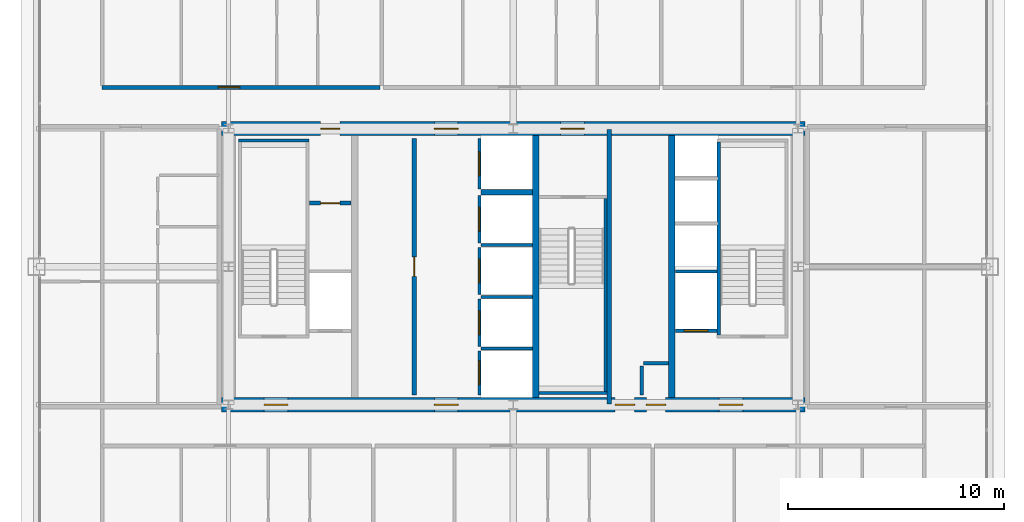
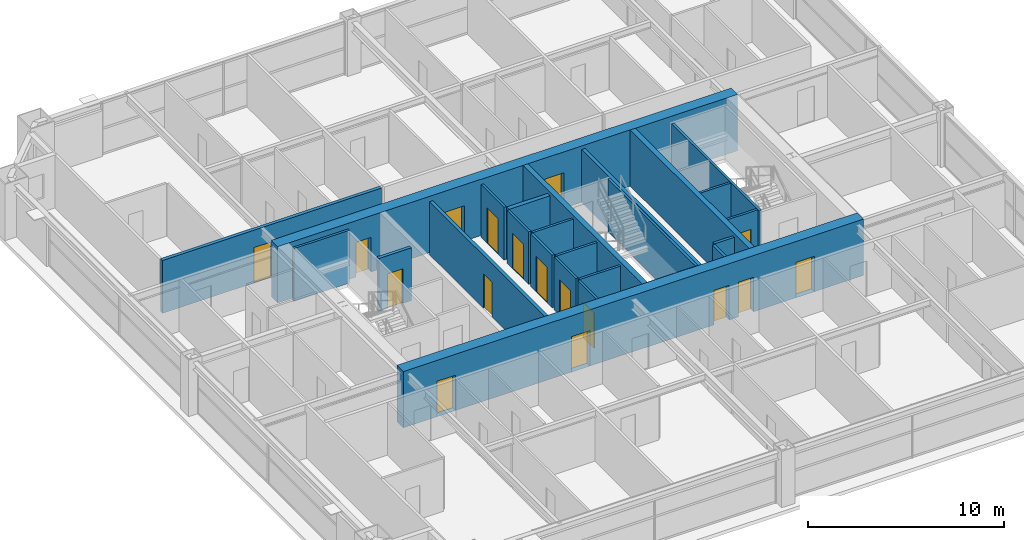
# One storey, part 34 of 38: 25 walls, 17 doors, 17 openings.
"""IFC4 building model written with IfcOpenShell, lengths in metres."""

from ifc_helpers import new_model, si_unit, direction, frame, frame_2d, origin, place, context, subcontext, project, spatial, rectangle, extrude, source, transform, mapped, material, layer, layer_set, type_object, element, fill, save


model = new_model("IFC4")

# Units and contexts
model_context = context("Model", 3, precision=1e-05, world=origin(), true_north=direction((0.0, 1.0)))
body_context = subcontext(model_context, "Body", "Model", "MODEL_VIEW")
ifc_project = project(units=[si_unit("LENGTHUNIT", "METRE"), si_unit("AREAUNIT", "SQUARE_METRE"), si_unit("VOLUMEUNIT", "CUBIC_METRE"), si_unit("PLANEANGLEUNIT", "RADIAN"), si_unit("MASSUNIT", "GRAM", prefix="KILO"), si_unit("THERMODYNAMICTEMPERATUREUNIT", "KELVIN"), si_unit("POWERUNIT", "WATT")], contexts=[model_context])

# Site, building, storey
site_placement = place(None, origin())
site = spatial("IfcSite", under=ifc_project, at=site_placement, CompositionType="ELEMENT")
building_placement = place(site_placement, origin())
building = spatial("IfcBuilding", under=site, at=building_placement, Name="Yuzanri Waterfront Tower", CompositionType="ELEMENT")
storey_placement = place(building_placement, frame((0.0, 0.0, 202.0)))
storey = spatial("IfcBuildingStorey", under=building, at=storey_placement, Name="L53", CompositionType="ELEMENT", Elevation=202.0)

# Wall, openings, doors
ifc_material_1 = material(Name="Concrete C50", Category="concrete")
ifc_layer_1 = layer(ifc_material_1, 0.64990234375)
ifc_layer_set_1 = layer_set([ifc_layer_1], Name="Concrete C50")
wall_type_1 = type_object("IfcWallType", Name="Concrete C50 Mid Zone Core Shear Wall 650", PredefinedType="SHEAR", material=ifc_layer_set_1)
wall_1_placement = place(storey_placement, frame((23.47509765625, 19.39990234375, 0.0), z_axis=(0.0, 0.0, 1.0), x_axis=(1.0, 0.0, 0.0)))
wall_1 = element("IfcWall", 1, at=wall_1_placement, inside=storey, type_object=wall_type_1, Name="L53 Core South Shear Wall", PredefinedType="SHEAR", context=body_context, shape_type="SweptSolid", body=[
    extrude(rectangle(XDim=27.0498046875, YDim=0.64990234375, at=frame_2d((13.52490234375, 0.0))), origin(), (0.0, 0.0, 1.0), 3.5),
])
opening_1_placement = place(wall_1_placement, frame((1.97509765625, 0.0, 0.0)))
opening_1 = element("IfcOpeningElement", 2, at=opening_1_placement, cuts=wall_1, Name="Opening FD-1100", PredefinedType="OPENING", context=body_context, shape_type="SweptSolid", body=[
    extrude(rectangle(XDim=1.10009765625, YDim=2.199951171875, at=frame_2d((0.550048828125, 1.10009765625))), frame((0.0, 0.33984375, 0.0), z_axis=(0.0, -1.0, 0.0), x_axis=(1.0, 0.0, 0.0)), (0.0, 0.0, 1.0), 0.6796875),
])
opening_2_placement = place(wall_1_placement, frame((9.875, 0.0, 0.0)))
opening_2 = element("IfcOpeningElement", 3, at=opening_2_placement, cuts=wall_1, Name="Opening FD-1100", PredefinedType="OPENING", context=body_context, shape_type="SweptSolid", body=[
    extrude(rectangle(XDim=1.10009765625, YDim=2.199951171875, at=frame_2d((0.550048828125, 1.10009765625))), frame((0.0, 0.33984375, 0.0), z_axis=(0.0, -1.0, 0.0), x_axis=(1.0, 0.0, 0.0)), (0.0, 0.0, 1.0), 0.6796875),
])
opening_3_placement = place(wall_1_placement, frame((23.074951171875, 0.0, 0.0)))
opening_3 = element("IfcOpeningElement", 4, at=opening_3_placement, cuts=wall_1, Name="Opening FD-1100", PredefinedType="OPENING", context=body_context, shape_type="SweptSolid", body=[
    extrude(rectangle(XDim=1.10009765625, YDim=2.199951171875, at=frame_2d((0.550048828125, 1.10009765625))), frame((0.0, 0.33984375, 0.0), z_axis=(0.0, -1.0, 0.0), x_axis=(1.0, 0.0, 0.0)), (0.0, 0.0, 1.0), 0.6796875),
])
opening_4_placement = place(wall_1_placement, frame((19.695068359375, 0.0, 0.0)))
opening_4 = element("IfcOpeningElement", 5, at=opening_4_placement, cuts=wall_1, Name="Opening FD-0900", PredefinedType="OPENING", context=body_context, shape_type="SweptSolid", body=[
    extrude(rectangle(XDim=0.89990234375, YDim=2.14990234375, at=frame_2d((0.449951171875, 1.074951171875))), frame((0.0, 0.33984375, 0.0), z_axis=(0.0, -1.0, 0.0), x_axis=(1.0, 0.0, 0.0)), (0.0, 0.0, 1.0), 0.6796875),
])
opening_5_placement = place(wall_1_placement, frame((18.2548828125, 0.0, 0.0)))
opening_5 = element("IfcOpeningElement", 6, at=opening_5_placement, cuts=wall_1, Name="Opening FD-0900", PredefinedType="OPENING", context=body_context, shape_type="SweptSolid", body=[
    extrude(rectangle(XDim=0.89990234375, YDim=2.14990234375, at=frame_2d((0.449951171875, 1.074951171875))), frame((0.0, 0.33984375, 0.0), z_axis=(0.0, -1.0, 0.0), x_axis=(1.0, 0.0, 0.0)), (0.0, 0.0, 1.0), 0.6796875),
])
ifc_material_2 = material(Name="Painted Galvanized Fire Steel", Category="steel")
door_type_1 = type_object("IfcDoorType", Name="Smoke-Proof Stair and Lobby Fire Door 1100x2200", OperationType="NOTDEFINED", PredefinedType="DOOR", material=ifc_material_2)
shared_shape_1 = source(origin(), body_context, "Body", "SweptSolid", [
    extrude(rectangle(XDim=1.10009765625, YDim=2.199951171875, at=frame_2d((0.550048828125, 1.10009765625))), frame((0.0, 0.02490234375, 0.0), z_axis=(0.0, -1.0, 0.0), x_axis=(1.0, 0.0, 0.0)), (0.0, 0.0, 1.0), 0.050048828125),
])
door_1_placement = place(opening_1_placement, origin())
door_1 = element("IfcDoor", 7, at=door_1_placement, inside=storey, type_object=door_type_1, Name="L53 West Firefighting Lobby Door", OperationType="SINGLE_SWING_RIGHT", OverallHeight=2.199951171875, OverallWidth=1.10009765625, PredefinedType="DOOR", context=body_context, shape_type="MappedRepresentation", body=[
    mapped(shared_shape_1, transform((0.0, 0.0, 0.0), scale=1.0)),
])
fill(opening_1, door_1)
door_2_placement = place(opening_2_placement, origin())
door_2 = element("IfcDoor", 8, at=door_2_placement, inside=storey, type_object=door_type_1, Name="L53 Central Lift Lobby South Door", OperationType="SINGLE_SWING_LEFT", OverallHeight=2.199951171875, OverallWidth=1.10009765625, PredefinedType="DOOR", context=body_context, shape_type="MappedRepresentation", body=[
    mapped(shared_shape_1, transform((0.0, 0.0, 0.0), scale=1.0)),
])
fill(opening_2, door_2)
door_3_placement = place(opening_3_placement, origin())
door_3 = element("IfcDoor", 9, at=door_3_placement, inside=storey, type_object=door_type_1, Name="L53 East Firefighting Lobby Door", OperationType="SINGLE_SWING_RIGHT", OverallHeight=2.199951171875, OverallWidth=1.10009765625, PredefinedType="DOOR", context=body_context, shape_type="MappedRepresentation", body=[
    mapped(shared_shape_1, transform((0.0, 0.0, 0.0), scale=1.0)),
])
fill(opening_3, door_3)
ifc_material_3 = material(Name="Painted Galvanized Fire Steel", Category="steel")
door_type_2 = type_object("IfcDoorType", Name="Riser and Service Room Fire Door 900x2150", OperationType="NOTDEFINED", PredefinedType="DOOR", material=ifc_material_3)
shared_shape_2 = source(origin(), body_context, "Body", "SweptSolid", [
    extrude(rectangle(XDim=0.89990234375, YDim=2.14990234375, at=frame_2d((0.449951171875, 1.074951171875))), frame((0.0, 0.02490234375, 0.0), z_axis=(0.0, -1.0, 0.0), x_axis=(1.0, 0.0, 0.0)), (0.0, 0.0, 1.0), 0.050048828125),
])
door_4_placement = place(opening_4_placement, origin())
door_4 = element("IfcDoor", 10, at=door_4_placement, inside=storey, type_object=door_type_2, Name="L53 East Wet Riser Door", OperationType="SINGLE_SWING_RIGHT", OverallHeight=2.14990234375, OverallWidth=0.89990234375, PredefinedType="DOOR", context=body_context, shape_type="MappedRepresentation", body=[
    mapped(shared_shape_2, transform((0.0, 0.0, 0.0), scale=1.0)),
])
fill(opening_4, door_4)
door_5_placement = place(opening_5_placement, origin())
door_5 = element("IfcDoor", 11, at=door_5_placement, inside=storey, type_object=door_type_2, Name="L53 Cleaners Store Room", OperationType="SINGLE_SWING_LEFT", OverallHeight=2.14990234375, OverallWidth=0.89990234375, PredefinedType="DOOR", context=body_context, shape_type="MappedRepresentation", body=[
    mapped(shared_shape_2, transform((0.0, 0.0, 0.0), scale=1.0)),
])
fill(opening_5, door_5)

wall_2_placement = place(storey_placement, frame((23.47509765625, 32.199951171875, 0.0), z_axis=(0.0, 0.0, 1.0), x_axis=(1.0, 0.0, 0.0)))
wall_2 = element("IfcWall", 12, at=wall_2_placement, inside=storey, type_object=wall_type_1, Name="L53 Core North Shear Wall", PredefinedType="SHEAR", context=body_context, shape_type="SweptSolid", body=[
    extrude(rectangle(XDim=27.0498046875, YDim=0.64990234375, at=frame_2d((13.52490234375, 0.0))), origin(), (0.0, 0.0, 1.0), 3.5),
])
opening_6_placement = place(wall_2_placement, frame((4.594970703125, 0.0, 0.0)))
opening_6 = element("IfcOpeningElement", 13, at=opening_6_placement, cuts=wall_2, Name="Opening FD-0900", PredefinedType="OPENING", context=body_context, shape_type="SweptSolid", body=[
    extrude(rectangle(XDim=0.89990234375, YDim=2.14990234375, at=frame_2d((0.449951171875, 1.074951171875))), frame((0.0, 0.33984375, 0.0), z_axis=(0.0, -1.0, 0.0), x_axis=(1.0, 0.0, 0.0)), (0.0, 0.0, 1.0), 0.6796875),
])
opening_7_placement = place(wall_2_placement, frame((9.875, 0.0, 0.0)))
opening_7 = element("IfcOpeningElement", 14, at=opening_7_placement, cuts=wall_2, Name="Opening FD-1100", PredefinedType="OPENING", context=body_context, shape_type="SweptSolid", body=[
    extrude(rectangle(XDim=1.10009765625, YDim=2.199951171875, at=frame_2d((0.550048828125, 1.10009765625))), frame((0.0, 0.33984375, 0.0), z_axis=(0.0, -1.0, 0.0), x_axis=(1.0, 0.0, 0.0)), (0.0, 0.0, 1.0), 0.6796875),
])
opening_8_placement = place(wall_2_placement, frame((15.72509765625, 0.0, 0.0)))
opening_8 = element("IfcOpeningElement", 15, at=opening_8_placement, cuts=wall_2, Name="Opening FD-1100", PredefinedType="OPENING", context=body_context, shape_type="SweptSolid", body=[
    extrude(rectangle(XDim=1.10009765625, YDim=2.199951171875, at=frame_2d((0.550048828125, 1.10009765625))), frame((0.0, 0.33984375, 0.0), z_axis=(0.0, -1.0, 0.0), x_axis=(1.0, 0.0, 0.0)), (0.0, 0.0, 1.0), 0.6796875),
])
door_6_placement = place(opening_7_placement, origin())
door_6 = element("IfcDoor", 16, at=door_6_placement, inside=storey, type_object=door_type_1, Name="L53 Central Lift Lobby North Door", OperationType="SINGLE_SWING_RIGHT", OverallHeight=2.199951171875, OverallWidth=1.10009765625, PredefinedType="DOOR", context=body_context, shape_type="MappedRepresentation", body=[
    mapped(shared_shape_1, transform((0.0, 0.0, 0.0), scale=1.0)),
])
fill(opening_7, door_6)
door_7_placement = place(opening_8_placement, origin())
door_7 = element("IfcDoor", 17, at=door_7_placement, inside=storey, type_object=door_type_1, Name="L53 North Stair Lobby Door", OperationType="SINGLE_SWING_LEFT", OverallHeight=2.199951171875, OverallWidth=1.10009765625, PredefinedType="DOOR", context=body_context, shape_type="MappedRepresentation", body=[
    mapped(shared_shape_1, transform((0.0, 0.0, 0.0), scale=1.0)),
])
fill(opening_8, door_7)
door_8_placement = place(opening_6_placement, origin())
door_8 = element("IfcDoor", 18, at=door_8_placement, inside=storey, type_object=door_type_2, Name="L53 Telecom Riser Door", OperationType="SINGLE_SWING_LEFT", OverallHeight=2.14990234375, OverallWidth=0.89990234375, PredefinedType="DOOR", context=body_context, shape_type="MappedRepresentation", body=[
    mapped(shared_shape_2, transform((0.0, 0.0, 0.0), scale=1.0)),
])
fill(opening_6, door_8)

# Wall, opening, door
ifc_material_4 = material(Name="Concrete C40", Category="concrete")
ifc_layer_2 = layer(ifc_material_4, 0.139892578125)
ifc_layer_set_2 = layer_set([ifc_layer_2], Name="Concrete C40")
wall_type_2 = type_object("IfcWallType", Name="Core Stair Liner and Hoistway Shaft Wall 140", PredefinedType="SOLIDWALL", material=ifc_layer_set_2)
wall_3_placement = place(storey_placement, frame((44.52001953125, 22.830078125, 0.0), z_axis=(0.0, 0.0, 1.0), x_axis=(1.0, 0.0, 0.0)))
wall_3 = element("IfcWall", 19, at=wall_3_placement, inside=storey, type_object=wall_type_2, Name="L53 Lift FL-02 Front Shaft Wall", PredefinedType="SOLIDWALL", context=body_context, shape_type="SweptSolid", body=[
    extrude(rectangle(XDim=1.919921875, YDim=0.139892578125, at=frame_2d((0.9599609375, 0.0))), origin(), (0.0, 0.0, 1.0), 3.280029296875),
])
opening_9_placement = place(wall_3_placement, frame((0.409912109375, 0.0, 0.0)))
opening_9 = element("IfcOpeningElement", 20, at=opening_9_placement, cuts=wall_3, Name="Opening LD-FL-02", PredefinedType="OPENING", context=body_context, shape_type="SweptSolid", body=[
    extrude(rectangle(XDim=1.10009765625, YDim=2.199951171875, at=frame_2d((0.550048828125, 1.10009765625))), frame((0.0, 0.0849609375, 0.0), z_axis=(0.0, -1.0, 0.0), x_axis=(1.0, 0.0, 0.0)), (0.0, 0.0, 1.0), 0.169677734375),
])
ifc_material_5 = material(Name="Brushed Bronze and Stainless Steel Cab", Category="steel")
door_type_3 = type_object("IfcDoorType", Name="Center-Parting Bronze Lift Landing Sliding Door 1100x2200", OperationType="NOTDEFINED", PredefinedType="DOOR", material=ifc_material_5)
shared_shape_3 = source(origin(), body_context, "Body", "SweptSolid", [
    extrude(rectangle(XDim=1.10009765625, YDim=2.199951171875, at=frame_2d((0.550048828125, 1.10009765625))), frame((0.0, 0.02490234375, 0.0), z_axis=(0.0, -1.0, 0.0), x_axis=(1.0, 0.0, 0.0)), (0.0, 0.0, 1.0), 0.050048828125),
])
door_9_placement = place(opening_9_placement, origin())
door_9 = element("IfcDoor", 21, at=door_9_placement, inside=storey, type_object=door_type_3, Name="L53 FL-02 Lift Landing Sliding Door", OperationType="SLIDING_TO_RIGHT", OverallHeight=2.199951171875, OverallWidth=1.10009765625, PredefinedType="DOOR", context=body_context, shape_type="MappedRepresentation", body=[
    mapped(shared_shape_3, transform((0.0, 0.0, 0.0), scale=1.0)),
])
fill(opening_9, door_9)

wall_4_placement = place(storey_placement, frame((35.429931640625, 19.860107421875, 0.0), z_axis=(0.0, 0.0, 1.0), x_axis=(0.0, 1.0, 0.0)))
wall_4 = element("IfcWall", 22, at=wall_4_placement, inside=storey, type_object=wall_type_2, Name="L53 Lift PL-05 Front Shaft Wall", PredefinedType="SOLIDWALL", context=body_context, shape_type="SweptSolid", body=[
    extrude(rectangle(XDim=2.039794921875, YDim=0.139892578125, at=frame_2d((1.02001953125, 0.0))), origin(), (0.0, 0.0, 1.0), 3.280029296875),
])
opening_10_placement = place(wall_4_placement, frame((0.469970703125, 0.0, 0.0)))
opening_10 = element("IfcOpeningElement", 23, at=opening_10_placement, cuts=wall_4, Name="Opening LD-PL-05", PredefinedType="OPENING", context=body_context, shape_type="SweptSolid", body=[
    extrude(rectangle(XDim=1.10009765625, YDim=2.199951171875, at=frame_2d((0.550048828125, 1.10009765625))), frame((0.0, 0.0849609375, 0.0), z_axis=(0.0, -1.0, 0.0), x_axis=(1.0, 0.0, 0.0)), (0.0, 0.0, 1.0), 0.169677734375),
])
door_10_placement = place(opening_10_placement, origin())
door_10 = element("IfcDoor", 24, at=door_10_placement, inside=storey, type_object=door_type_3, Name="L53 PL-05 Lift Landing Sliding Door", OperationType="SLIDING_TO_RIGHT", OverallHeight=2.199951171875, OverallWidth=1.10009765625, PredefinedType="DOOR", context=body_context, shape_type="MappedRepresentation", body=[
    mapped(shared_shape_3, transform((0.0, 0.0, 0.0), scale=1.0)),
])
fill(opening_10, door_10)

wall_5_placement = place(storey_placement, frame((35.429931640625, 22.10009765625, 0.0), z_axis=(0.0, 0.0, 1.0), x_axis=(0.0, 1.0, 0.0)))
wall_5 = element("IfcWall", 25, at=wall_5_placement, inside=storey, type_object=wall_type_2, Name="L53 Lift PL-06 Front Shaft Wall", PredefinedType="SOLIDWALL", context=body_context, shape_type="SweptSolid", body=[
    extrude(rectangle(XDim=2.199951171875, YDim=0.139892578125, at=frame_2d((1.10009765625, 0.0))), origin(), (0.0, 0.0, 1.0), 3.280029296875),
])
opening_11_placement = place(wall_5_placement, frame((0.550048828125, 0.0, 0.0)))
opening_11 = element("IfcOpeningElement", 26, at=opening_11_placement, cuts=wall_5, Name="Opening LD-PL-06", PredefinedType="OPENING", context=body_context, shape_type="SweptSolid", body=[
    extrude(rectangle(XDim=1.10009765625, YDim=2.199951171875, at=frame_2d((0.550048828125, 1.10009765625))), frame((0.0, 0.0849609375, 0.0), z_axis=(0.0, -1.0, 0.0), x_axis=(1.0, 0.0, 0.0)), (0.0, 0.0, 1.0), 0.169677734375),
])
door_11_placement = place(opening_11_placement, origin())
door_11 = element("IfcDoor", 27, at=door_11_placement, inside=storey, type_object=door_type_3, Name="L53 PL-06 Lift Landing Sliding Door", OperationType="SLIDING_TO_LEFT", OverallHeight=2.199951171875, OverallWidth=1.10009765625, PredefinedType="DOOR", context=body_context, shape_type="MappedRepresentation", body=[
    mapped(shared_shape_3, transform((0.0, 0.0, 0.0), scale=1.0)),
])
fill(opening_11, door_11)

wall_6_placement = place(storey_placement, frame((35.429931640625, 24.5, 0.0), z_axis=(0.0, 0.0, 1.0), x_axis=(0.0, 1.0, 0.0)))
wall_6 = element("IfcWall", 28, at=wall_6_placement, inside=storey, type_object=wall_type_2, Name="L53 Lift PL-07 Front Shaft Wall", PredefinedType="SOLIDWALL", context=body_context, shape_type="SweptSolid", body=[
    extrude(rectangle(XDim=2.199951171875, YDim=0.139892578125, at=frame_2d((1.10009765625, 0.0))), origin(), (0.0, 0.0, 1.0), 3.280029296875),
])
opening_12_placement = place(wall_6_placement, frame((0.550048828125, 0.0, 0.0)))
opening_12 = element("IfcOpeningElement", 29, at=opening_12_placement, cuts=wall_6, Name="Opening LD-PL-07", PredefinedType="OPENING", context=body_context, shape_type="SweptSolid", body=[
    extrude(rectangle(XDim=1.10009765625, YDim=2.199951171875, at=frame_2d((0.550048828125, 1.10009765625))), frame((0.0, 0.0849609375, 0.0), z_axis=(0.0, -1.0, 0.0), x_axis=(1.0, 0.0, 0.0)), (0.0, 0.0, 1.0), 0.169677734375),
])
door_12_placement = place(opening_12_placement, origin())
door_12 = element("IfcDoor", 30, at=door_12_placement, inside=storey, type_object=door_type_3, Name="L53 PL-07 Lift Landing Sliding Door", OperationType="SLIDING_TO_RIGHT", OverallHeight=2.199951171875, OverallWidth=1.10009765625, PredefinedType="DOOR", context=body_context, shape_type="MappedRepresentation", body=[
    mapped(shared_shape_3, transform((0.0, 0.0, 0.0), scale=1.0)),
])
fill(opening_12, door_12)

wall_7_placement = place(storey_placement, frame((35.429931640625, 26.89990234375, 0.0), z_axis=(0.0, 0.0, 1.0), x_axis=(0.0, 1.0, 0.0)))
wall_7 = element("IfcWall", 31, at=wall_7_placement, inside=storey, type_object=wall_type_2, Name="L53 Lift PL-08 Front Shaft Wall", PredefinedType="SOLIDWALL", context=body_context, shape_type="SweptSolid", body=[
    extrude(rectangle(XDim=2.2001953125, YDim=0.139892578125, at=frame_2d((1.10009765625, 0.0))), origin(), (0.0, 0.0, 1.0), 3.280029296875),
])
opening_13_placement = place(wall_7_placement, frame((0.550048828125, 0.0, 0.0)))
opening_13 = element("IfcOpeningElement", 32, at=opening_13_placement, cuts=wall_7, Name="Opening LD-PL-08", PredefinedType="OPENING", context=body_context, shape_type="SweptSolid", body=[
    extrude(rectangle(XDim=1.10009765625, YDim=2.199951171875, at=frame_2d((0.550048828125, 1.10009765625))), frame((0.0, 0.0849609375, 0.0), z_axis=(0.0, -1.0, 0.0), x_axis=(1.0, 0.0, 0.0)), (0.0, 0.0, 1.0), 0.169677734375),
])
door_13_placement = place(opening_13_placement, origin())
door_13 = element("IfcDoor", 33, at=door_13_placement, inside=storey, type_object=door_type_3, Name="L53 PL-08 Lift Landing Sliding Door", OperationType="SLIDING_TO_LEFT", OverallHeight=2.199951171875, OverallWidth=1.10009765625, PredefinedType="DOOR", context=body_context, shape_type="MappedRepresentation", body=[
    mapped(shared_shape_3, transform((0.0, 0.0, 0.0), scale=1.0)),
])
fill(opening_13, door_13)

wall_8_placement = place(storey_placement, frame((35.429931640625, 29.39990234375, 0.0), z_axis=(0.0, 0.0, 1.0), x_axis=(0.0, 1.0, 0.0)))
wall_8 = element("IfcWall", 34, at=wall_8_placement, inside=storey, type_object=wall_type_2, Name="L53 Lift SL-02 Front Shaft Wall", PredefinedType="SOLIDWALL", context=body_context, shape_type="SweptSolid", body=[
    extrude(rectangle(XDim=2.340087890625, YDim=0.139892578125, at=frame_2d((1.169921875, 0.0))), origin(), (0.0, 0.0, 1.0), 3.280029296875),
])
opening_14_placement = place(wall_8_placement, frame((0.6201171875, 0.0, 0.0)))
opening_14 = element("IfcOpeningElement", 35, at=opening_14_placement, cuts=wall_8, Name="Opening LD-SL-02", PredefinedType="OPENING", context=body_context, shape_type="SweptSolid", body=[
    extrude(rectangle(XDim=1.10009765625, YDim=2.199951171875, at=frame_2d((0.550048828125, 1.10009765625))), frame((0.0, 0.0849609375, 0.0), z_axis=(0.0, -1.0, 0.0), x_axis=(1.0, 0.0, 0.0)), (0.0, 0.0, 1.0), 0.169677734375),
])
door_14_placement = place(opening_14_placement, origin())
door_14 = element("IfcDoor", 36, at=door_14_placement, inside=storey, type_object=door_type_3, Name="L53 SL-02 Lift Landing Sliding Door", OperationType="SLIDING_TO_RIGHT", OverallHeight=2.199951171875, OverallWidth=1.10009765625, PredefinedType="DOOR", context=body_context, shape_type="MappedRepresentation", body=[
    mapped(shared_shape_3, transform((0.0, 0.0, 0.0), scale=1.0)),
])
fill(opening_14, door_14)

ifc_material_6 = material(Name="Autoclaved Aerated Concrete Blockwork", Category="masonry")
ifc_layer_3 = layer(ifc_material_6, 0.199951171875)
ifc_layer_set_3 = layer_set([ifc_layer_3], Name="Autoclaved Aerated Concrete Blockwork")
wall_type_3 = type_object("IfcWallType", Name="Corridor and Unit Party Fire Wall 200", PredefinedType="PARTITIONING", material=ifc_layer_set_3)
wall_9_placement = place(storey_placement, frame((27.56005859375, 28.75, 0.0), z_axis=(0.0, 0.0, 1.0), x_axis=(1.0, 0.0, 0.0)))
wall_9 = element("IfcWall", 37, at=wall_9_placement, inside=storey, type_object=wall_type_3, Name="L53 Partition CRW-L53-ERTR", PredefinedType="PARTITIONING", context=body_context, shape_type="SweptSolid", body=[
    extrude(rectangle(XDim=1.919921875, YDim=0.199951171875, at=frame_2d((0.9599609375, 0.0))), origin(), (0.0, 0.0, 1.0), 3.280029296875),
])
opening_15_placement = place(wall_9_placement, frame((0.510009765625, 0.0, 0.0)))
opening_15 = element("IfcOpeningElement", 38, at=opening_15_placement, cuts=wall_9, Name="Opening FD-0900", PredefinedType="OPENING", context=body_context, shape_type="SweptSolid", body=[
    extrude(rectangle(XDim=0.89990234375, YDim=2.14990234375, at=frame_2d((0.449951171875, 1.074951171875))), frame((0.0, 0.11474609375, 0.0), z_axis=(0.0, -1.0, 0.0), x_axis=(1.0, 0.0, 0.0)), (0.0, 0.0, 1.0), 0.229736328125),
])
door_15_placement = place(opening_15_placement, origin())
door_15 = element("IfcDoor", 39, at=door_15_placement, inside=storey, type_object=door_type_2, Name="L53 Electrical Riser Door", OperationType="SINGLE_SWING_RIGHT", OverallHeight=2.14990234375, OverallWidth=0.89990234375, PredefinedType="DOOR", context=body_context, shape_type="MappedRepresentation", body=[
    mapped(shared_shape_2, transform((0.0, 0.0, 0.0), scale=1.0)),
])
fill(opening_15, door_15)

wall_10_placement = place(storey_placement, frame((32.419921875, 19.860107421875, 0.0), z_axis=(0.0, 0.0, 1.0), x_axis=(0.0, 1.0, 0.0)))
wall_10 = element("IfcWall", 40, at=wall_10_placement, inside=storey, type_object=wall_type_3, Name="L53 Partition CRW-L53-B1R-1", PredefinedType="PARTITIONING", context=body_context, shape_type="SweptSolid", body=[
    extrude(rectangle(XDim=11.8798828125, YDim=0.199951171875, at=frame_2d((5.93994140625, 0.0))), origin(), (0.0, 0.0, 1.0), 3.280029296875),
])
opening_16_placement = place(wall_10_placement, frame((5.489990234375, 0.0, 0.0)))
opening_16 = element("IfcOpeningElement", 41, at=opening_16_placement, cuts=wall_10, Name="Opening FD-0900", PredefinedType="OPENING", context=body_context, shape_type="SweptSolid", body=[
    extrude(rectangle(XDim=0.89990234375, YDim=2.14990234375, at=frame_2d((0.449951171875, 1.074951171875))), frame((0.0, 0.11474609375, 0.0), z_axis=(0.0, -1.0, 0.0), x_axis=(1.0, 0.0, 0.0)), (0.0, 0.0, 1.0), 0.229736328125),
])
door_16_placement = place(opening_16_placement, origin())
door_16 = element("IfcDoor", 42, at=door_16_placement, inside=storey, type_object=door_type_2, Name="L53 Private Store Room", OperationType="SINGLE_SWING_LEFT", OverallHeight=2.14990234375, OverallWidth=0.89990234375, PredefinedType="DOOR", context=body_context, shape_type="MappedRepresentation", body=[
    mapped(shared_shape_2, transform((0.0, 0.0, 0.0), scale=1.0)),
])
fill(opening_16, door_16)

wall_11_placement = place(storey_placement, frame((17.93994140625, 34.110107421875, 0.0), z_axis=(0.0, 0.0, 1.0), x_axis=(1.0, 0.0, 0.0)))
wall_11 = element("IfcWall", 43, at=wall_11_placement, inside=storey, type_object=wall_type_3, Name="L53 Partition UW-L53-RN1-CS", PredefinedType="PARTITIONING", context=body_context, shape_type="SweptSolid", body=[
    extrude(rectangle(XDim=12.881103515625, YDim=0.199951171875, at=frame_2d((6.4404296875, 0.0))), origin(), (0.0, 0.0, 1.0), 3.280029296875),
])
opening_17_placement = place(wall_11_placement, frame((5.385009765625, 0.0, 0.0)))
opening_17 = element("IfcOpeningElement", 44, at=opening_17_placement, cuts=wall_11, Name="Opening FD-1000", PredefinedType="OPENING", context=body_context, shape_type="SweptSolid", body=[
    extrude(rectangle(XDim=1.0, YDim=2.199951171875, at=frame_2d((0.5, 1.10009765625))), frame((0.0, 0.11474609375, 0.0), z_axis=(0.0, -1.0, 0.0), x_axis=(1.0, 0.0, 0.0)), (0.0, 0.0, 1.0), 0.229736328125),
])
ifc_material_7 = material(Name="Engineered Oak Fire-Rated Timber", Category="wood")
door_type_4 = type_object("IfcDoorType", Name="Guestroom and Apartment Entrance Fire Door 1000x2200", OperationType="NOTDEFINED", PredefinedType="DOOR", material=ifc_material_7)
shared_shape_4 = source(origin(), body_context, "Body", "SweptSolid", [
    extrude(rectangle(XDim=1.0, YDim=2.199951171875, at=frame_2d((0.5, 1.10009765625))), frame((0.0, 0.02490234375, 0.0), z_axis=(0.0, -1.0, 0.0), x_axis=(1.0, 0.0, 0.0)), (0.0, 0.0, 1.0), 0.050048828125),
])
door_17_placement = place(opening_17_placement, origin())
door_17 = element("IfcDoor", 45, at=door_17_placement, inside=storey, type_object=door_type_4, Name="L53 Apartment Living Room Entrance Door", OperationType="SINGLE_SWING_LEFT", OverallHeight=2.199951171875, OverallWidth=1.0, PredefinedType="DOOR", context=body_context, shape_type="MappedRepresentation", body=[
    mapped(shared_shape_4, transform((0.0, 0.0, 0.0), scale=1.0)),
])
fill(opening_17, door_17)

# Walls
ifc_material_8 = material(Name="Concrete C50", Category="concrete")
ifc_layer_4 = layer(ifc_material_8, 0.300048828125)
ifc_layer_set_4 = layer_set([ifc_layer_4], Name="Concrete C50")
wall_type_4 = type_object("IfcWallType", Name="Concrete C50 Internal Core Shaft Structural Wall 300", PredefinedType="SOLIDWALL", material=ifc_layer_set_4)
shared_shape_5 = source(origin(), body_context, "Body", "SweptSolid", [
    extrude(rectangle(XDim=12.14990234375, YDim=0.300048828125, at=frame_2d((6.074951171875, 0.0))), origin(), (0.0, 0.0, 1.0), 3.5),
])
for number, where, z_axis, x_axis, name in (
    (46, (38.050048828125, 19.72509765625, 0.0), (0.0, 0.0, 1.0), (0.0, 1.0, 0.0), "L53 Core Internal Structural Web Wall 2"),
    (47, (44.35009765625, 19.72509765625, 0.0), (0.0, 0.0, 1.0), (0.0, 1.0, 0.0), "L53 Core Internal Structural Web Wall 3"),
):
    element("IfcWall", number, at=place(storey_placement, frame(where, z_axis=z_axis, x_axis=x_axis)), inside=storey, type_object=wall_type_4, Name=name, PredefinedType="SOLIDWALL", context=body_context, shape_type="MappedRepresentation", body=[
        mapped(shared_shape_5, transform((0.0, 0.0, 0.0), scale=1.0)),
    ])
shared_shape_6 = source(origin(), body_context, "Body", "SweptSolid", [
    extrude(rectangle(XDim=1.919921875, YDim=0.139892578125, at=frame_2d((0.9599609375, 0.0))), origin(), (0.0, 0.0, 1.0), 3.280029296875),
])
wall_12_placement = place(storey_placement, frame((44.52001953125, 25.570068359375, 0.0), z_axis=(0.0, 0.0, 1.0), x_axis=(1.0, 0.0, 0.0)))
element("IfcWall", 48, at=wall_12_placement, inside=storey, type_object=wall_type_2, Name="L53 Lift FL-02 Back Shaft Wall", PredefinedType="SOLIDWALL", context=body_context, shape_type="MappedRepresentation", body=[
    mapped(shared_shape_6, transform((0.0, 0.0, 0.0), scale=1.0)),
])
shared_shape_7 = source(origin(), body_context, "Body", "SweptSolid", [
    extrude(rectangle(XDim=2.39990234375, YDim=0.139892578125, at=frame_2d((1.199951171875, 0.0))), origin(), (0.0, 0.0, 1.0), 3.280029296875),
])
for number, where, z_axis, x_axis, name in (
    (49, (35.5, 22.0, 0.0), (0.0, 0.0, 1.0), (1.0, 0.0, 0.0), "L53 Lift PL-05 Divider Wall"),
    (50, (35.5, 24.39990234375, 0.0), (0.0, 0.0, 1.0), (1.0, 0.0, 0.0), "L53 Lift PL-06 Divider Wall"),
    (51, (35.5, 26.800048828125, 0.0), (0.0, 0.0, 1.0), (1.0, 0.0, 0.0), "L53 Lift PL-07 Divider Wall"),
):
    element("IfcWall", number, at=place(storey_placement, frame(where, z_axis=z_axis, x_axis=x_axis)), inside=storey, type_object=wall_type_2, Name=name, PredefinedType="SOLIDWALL", context=body_context, shape_type="MappedRepresentation", body=[
        mapped(shared_shape_7, transform((0.0, 0.0, 0.0), scale=1.0)),
    ])
ifc_material_9 = material(Name="Concrete C40", Category="concrete")
ifc_layer_5 = layer(ifc_material_9, 0.25)
ifc_layer_set_5 = layer_set([ifc_layer_5], Name="Concrete C40")
wall_type_5 = type_object("IfcWallType", Name="Smoke-Proof Stair and Lift Shaft Wall 250", PredefinedType="SOLIDWALL", material=ifc_layer_set_5)
shared_shape_8 = source(origin(), body_context, "Body", "SweptSolid", [
    extrude(rectangle(XDim=2.39990234375, YDim=0.25, at=frame_2d((1.199951171875, 0.0))), origin(), (0.0, 0.0, 1.0), 3.280029296875),
])
wall_13_placement = place(storey_placement, frame((35.5, 29.25, 0.0), z_axis=(0.0, 0.0, 1.0), x_axis=(1.0, 0.0, 0.0)))
element("IfcWall", 52, at=wall_13_placement, inside=storey, type_object=wall_type_5, Name="L53 Lift SL-02 South Shaft Wall", PredefinedType="SOLIDWALL", context=body_context, shape_type="MappedRepresentation", body=[
    mapped(shared_shape_8, transform((0.0, 0.0, 0.0), scale=1.0)),
])
shared_shape_9 = source(origin(), body_context, "Body", "SweptSolid", [
    extrude(rectangle(XDim=3.280029296875, YDim=0.139892578125, at=frame_2d((1.64013671875, 0.0))), origin(), (0.0, 0.0, 1.0), 3.280029296875),
])
wall_14_placement = place(storey_placement, frame((24.260009765625, 31.64990234375, 0.0), z_axis=(0.0, 0.0, 1.0), x_axis=(1.0, 0.0, 0.0)))
element("IfcWall", 53, at=wall_14_placement, inside=storey, type_object=wall_type_2, Name="L53 Stair ST-01 North Shaft Wall", PredefinedType="SOLIDWALL", context=body_context, shape_type="MappedRepresentation", body=[
    mapped(shared_shape_9, transform((0.0, 0.0, 0.0), scale=1.0)),
])
shared_shape_10 = source(origin(), body_context, "Body", "SweptSolid", [
    extrude(rectangle(XDim=8.940185546875, YDim=0.139892578125, at=frame_2d((4.47021484375, 0.0))), origin(), (0.0, 0.0, 1.0), 3.280029296875),
])
wall_15_placement = place(storey_placement, frame((46.530029296875, 22.639892578125, 0.0), z_axis=(0.0, 0.0, 1.0), x_axis=(0.0, 1.0, 0.0)))
element("IfcWall", 54, at=wall_15_placement, inside=storey, type_object=wall_type_2, Name="L53 Stair ST-02 West Shaft Wall", PredefinedType="SOLIDWALL", context=body_context, shape_type="MappedRepresentation", body=[
    mapped(shared_shape_10, transform((0.0, 0.0, 0.0), scale=1.0)),
])
shared_shape_11 = source(origin(), body_context, "Body", "SweptSolid", [
    extrude(rectangle(XDim=3.14013671875, YDim=0.139892578125, at=frame_2d((1.570068359375, 0.0))), origin(), (0.0, 0.0, 1.0), 3.280029296875),
])
wall_16_placement = place(storey_placement, frame((38.199951171875, 19.949951171875, 0.0), z_axis=(0.0, 0.0, 1.0), x_axis=(1.0, 0.0, 0.0)))
element("IfcWall", 55, at=wall_16_placement, inside=storey, type_object=wall_type_2, Name="L53 Stair ST-03 South Shaft Wall", PredefinedType="SOLIDWALL", context=body_context, shape_type="MappedRepresentation", body=[
    mapped(shared_shape_11, transform((0.0, 0.0, 0.0), scale=1.0)),
])
shared_shape_12 = source(origin(), body_context, "Body", "SweptSolid", [
    extrude(rectangle(XDim=8.93994140625, YDim=0.139892578125, at=frame_2d((4.469970703125, 0.0))), origin(), (0.0, 0.0, 1.0), 3.280029296875),
])
wall_17_placement = place(storey_placement, frame((41.27001953125, 20.02001953125, 0.0), z_axis=(0.0, 0.0, 1.0), x_axis=(0.0, 1.0, 0.0)))
element("IfcWall", 56, at=wall_17_placement, inside=storey, type_object=wall_type_2, Name="L53 Stair ST-03 East Shaft Wall", PredefinedType="SOLIDWALL", context=body_context, shape_type="MappedRepresentation", body=[
    mapped(shared_shape_12, transform((0.0, 0.0, 0.0), scale=1.0)),
])
ifc_material_10 = material(Name="Gypsum Fireboard Acoustic Stud Wall", Category="gypsum")
ifc_layer_6 = layer(ifc_material_10, 0.159912109375)
ifc_layer_set_6 = layer_set([ifc_layer_6], Name="Gypsum Fireboard Acoustic Stud Wall")
wall_type_6 = type_object("IfcWallType", Name="Acoustic Suite Demising Partition 160", PredefinedType="PARTITIONING", material=ifc_layer_set_6)
shared_shape_13 = source(origin(), body_context, "Body", "SweptSolid", [
    extrude(rectangle(XDim=1.33984375, YDim=0.159912109375, at=frame_2d((0.669921875, 0.0))), origin(), (0.0, 0.0, 1.0), 3.280029296875),
])
wall_18_placement = place(storey_placement, frame((42.949951171875, 19.860107421875, 0.0), z_axis=(0.0, 0.0, 1.0), x_axis=(0.0, 1.0, 0.0)))
element("IfcWall", 57, at=wall_18_placement, inside=storey, type_object=wall_type_6, Name="L53 East Wet Riser West Wall", PredefinedType="PARTITIONING", context=body_context, shape_type="MappedRepresentation", body=[
    mapped(shared_shape_13, transform((0.0, 0.0, 0.0), scale=1.0)),
])
shared_shape_14 = source(origin(), body_context, "Body", "SweptSolid", [
    extrude(rectangle(XDim=1.169921875, YDim=0.159912109375, at=frame_2d((0.5849609375, 0.0))), origin(), (0.0, 0.0, 1.0), 3.280029296875),
])
wall_19_placement = place(storey_placement, frame((43.030029296875, 21.320068359375, 0.0), z_axis=(0.0, 0.0, 1.0), x_axis=(1.0, 0.0, 0.0)))
element("IfcWall", 58, at=wall_19_placement, inside=storey, type_object=wall_type_6, Name="L53 East Wet Riser North Wall", PredefinedType="PARTITIONING", context=body_context, shape_type="MappedRepresentation", body=[
    mapped(shared_shape_14, transform((0.0, 0.0, 0.0), scale=1.0)),
])
shared_shape_15 = source(origin(), body_context, "Body", "SweptSolid", [
    extrude(rectangle(XDim=12.719970703125, YDim=0.199951171875, at=frame_2d((6.35986328125, 0.0))), origin(), (0.0, 0.0, 1.0), 3.280029296875),
])
wall_20_placement = place(storey_placement, frame((41.449951171875, 19.43994140625, 0.0), z_axis=(0.0, 0.0, 1.0), x_axis=(0.0, 1.0, 0.0)))
element("IfcWall", 59, at=wall_20_placement, inside=storey, type_object=wall_type_3, Name="L53 Core BOH West Wall 1", PredefinedType="PARTITIONING", context=body_context, shape_type="MappedRepresentation", body=[
    mapped(shared_shape_15, transform((0.0, 0.0, 0.0), scale=1.0)),
])

save(model, "model.ifc")
